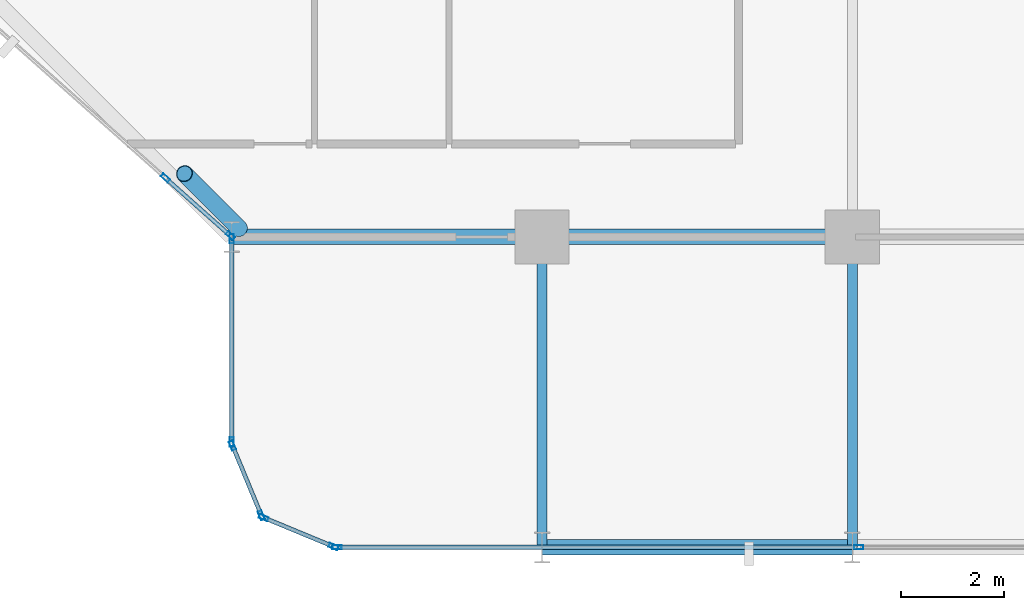
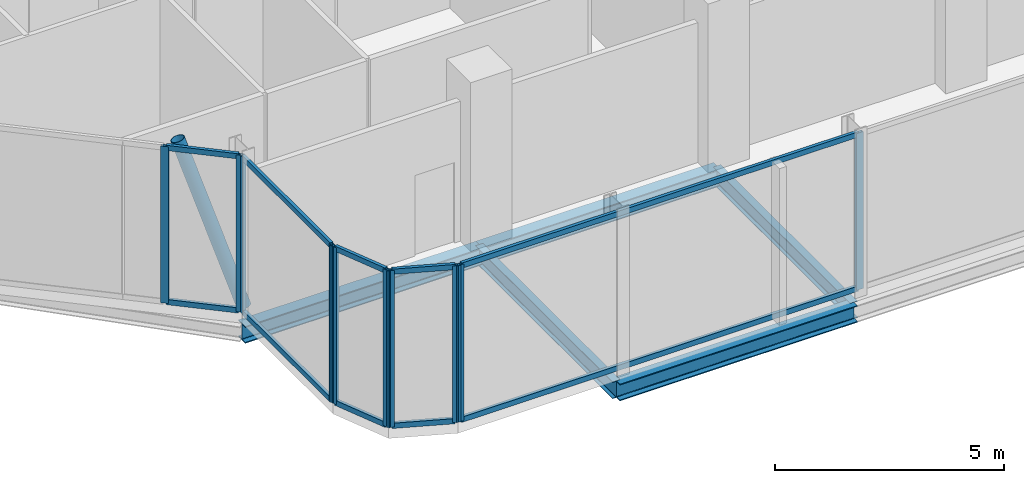
# One storey, part 4 of 31: 21 members, 5 beams, 5 elements without a shape of their own.
"""IFC4 building model written with IfcOpenShell, lengths in metres."""

from ifc_helpers import new_model, si_unit, direction, frame, origin, origin_2d, place, context, subcontext, project, spatial, hollow_rectangle, hollow_circle, i_section, extrude, material, layer, layer_set, material_profile, profile_set, type_object, element, aggregate, save


model = new_model("IFC4")

# Units and contexts
model_context = context("Model", 3, precision=1e-05, world=origin(), true_north=direction((0.0, 1.0)))
body_context = subcontext(model_context, "Body", "Model", "MODEL_VIEW")
ifc_project = project(units=[si_unit("LENGTHUNIT", "METRE"), si_unit("AREAUNIT", "SQUARE_METRE"), si_unit("VOLUMEUNIT", "CUBIC_METRE"), si_unit("PLANEANGLEUNIT", "RADIAN"), si_unit("MASSUNIT", "GRAM", prefix="KILO")], contexts=[model_context])

# Site, building, storey
site_placement = place(None, origin())
site = spatial("IfcSite", under=ifc_project, at=site_placement, CompositionType="ELEMENT")
building_placement = place(site_placement, origin())
building = spatial("IfcBuilding", under=site, at=building_placement, Name="Keshet Zoharim Tower", CompositionType="ELEMENT")
storey_placement = place(building_placement, frame((0.0, 0.0, 125.300048828125)))
storey = spatial("IfcBuildingStorey", under=building, at=storey_placement, Name="L30", CompositionType="ELEMENT", Elevation=125.300048828125)

# Beams
ifc_material_1 = material(Name="Steel S355", Category="steel")
ifc_material_profile_1 = material_profile(ifc_material_1, i_section(OverallWidth=0.18994140625, OverallDepth=0.449951171875, WebThickness=0.009521484375, FlangeThickness=0.0146484375, FilletRadius=0.02099609375, at=origin_2d()), Name="IPE450")
ifc_profile_set_1 = profile_set([ifc_material_profile_1], Name="Steel S355")
beam_type_1 = type_object("IfcBeamType", Name="BM-PRI-IP450", PredefinedType="BEAM", material=ifc_profile_set_1)
for number, where, z_axis, x_axis, name in (
    (1, (27.0, 0.699951171875, -0.545166015625), (0.0, 1.0, 0.0), (-1.0, 0.0, 0.0), "L30 Primary Girder Y-004"),
    (2, (33.0, 0.699951171875, -0.545166015625), (0.0, 1.0, 0.0), (-1.0, 0.0, 0.0), "L30 Primary Girder Y-005"),
):
    element("IfcBeam", number, at=place(storey_placement, frame(where, z_axis=z_axis, x_axis=x_axis)), inside=storey, type_object=beam_type_1, Name=name, PredefinedType="BEAM", context=body_context, shape_type="SweptSolid", body=[
        extrude(i_section(OverallWidth=0.18994140625, OverallDepth=0.449951171875, WebThickness=0.009521484375, FlangeThickness=0.0146484375, FilletRadius=0.02099609375, at=origin_2d()), origin(), (0.0, 0.0, 1.0), 6.0),
    ])
ifc_material_profile_2 = material_profile(ifc_material_1, i_section(OverallWidth=0.300048828125, OverallDepth=0.449951171875, WebThickness=0.013916015625, FlangeThickness=0.02587890625, FilletRadius=0.027099609375, at=origin_2d()), Name="HEB450")
ifc_profile_set_2 = profile_set([ifc_material_profile_2], Name="Steel S355")
beam_type_2 = type_object("IfcBeamType", Name="BM-WEB-HB450", PredefinedType="BEAM", material=ifc_profile_set_2)
for number, where, z_axis, x_axis, name in (
    (3, (27.0, 0.699951171875, -0.545166015625), (1.0, 0.0, 0.0), (0.0, 1.0, 0.0), "L30 Primary Girder X-001"),
    (4, (21.0, 6.699951171875, -0.545166015625), (1.0, 0.0, 0.0), (0.0, 1.0, 0.0), "L30 Primary Girder X-005"),
    (5, (27.0, 6.699951171875, -0.545166015625), (1.0, 0.0, 0.0), (0.0, 1.0, 0.0), "L30 Primary Girder X-006"),
):
    element("IfcBeam", number, at=place(storey_placement, frame(where, z_axis=z_axis, x_axis=x_axis)), inside=storey, type_object=beam_type_2, Name=name, PredefinedType="BEAM", context=body_context, shape_type="SweptSolid", body=[
        extrude(i_section(OverallWidth=0.300048828125, OverallDepth=0.449951171875, WebThickness=0.013916015625, FlangeThickness=0.02587890625, FilletRadius=0.027099609375, at=origin_2d()), origin(), (0.0, 0.0, 1.0), 6.0),
    ])

# Curtain wall, members
ifc_material_2 = material(Name="Aluminium 6063-T6", Category="aluminium")
ifc_layer = layer(ifc_material_2, 0.14990234375)
ifc_layer_set = layer_set([ifc_layer], Name="Aluminium 6063-T6")
curtain_wall_type = type_object("IfcCurtainWallType", Name="CW-SYS-04", PredefinedType="NOTDEFINED", material=ifc_layer_set)
curtain_wall_1_placement = place(storey_placement, origin())
curtain_wall_1 = element("IfcCurtainWall", 6, at=curtain_wall_1_placement, inside=storey, type_object=curtain_wall_type, Name="L30 Unitised Curtain Wall 09 Part 3", PredefinedType="NOTDEFINED")
ifc_material_profile_3 = material_profile(ifc_material_2, hollow_rectangle(XDim=0.080078125, YDim=0.179931640625, WallThickness=0.00439453125, at=origin_2d()), Name="MUL-80x180")
ifc_profile_set_3 = profile_set([ifc_material_profile_3], Name="Aluminium 6063-T6")
member_type_1 = type_object("IfcMemberType", Name="CWM-M18", PredefinedType="MULLION", material=ifc_profile_set_3)
member_1_placement = place(storey_placement, frame((33.123779296875, 0.699951171875, 0.0), z_axis=(0.0, 0.0, 1.0), x_axis=(0.0, -1.0, 0.0)))
member_1 = element("IfcMember", 7, at=member_1_placement, type_object=member_type_1, Name="CW-04 mullion 2", PredefinedType="MULLION", context=body_context, shape_type="SweptSolid", body=[
    extrude(hollow_rectangle(XDim=0.080078125, YDim=0.179931640625, WallThickness=0.00439453125, at=origin_2d()), origin(), (0.0, 0.0, 1.0), 4.18505859375),
])
member_2_placement = place(storey_placement, frame((23.034912109375, 0.699951171875, 0.0), z_axis=(0.0, 0.0, 1.0), x_axis=(0.0, -1.0, 0.0)))
member_2 = element("IfcMember", 8, at=member_2_placement, type_object=member_type_1, Name="CW-04 mullion 3", PredefinedType="MULLION", context=body_context, shape_type="SweptSolid", body=[
    extrude(hollow_rectangle(XDim=0.080078125, YDim=0.179931640625, WallThickness=0.00439453125, at=origin_2d()), origin(), (0.0, 0.0, 1.0), 4.18505859375),
])

curtain_wall_2_placement = place(storey_placement, origin())
curtain_wall_2 = element("IfcCurtainWall", 9, at=curtain_wall_2_placement, inside=storey, type_object=curtain_wall_type, Name="L30 Unitised Curtain Wall 10", PredefinedType="NOTDEFINED")
member_3_placement = place(storey_placement, frame((22.9677734375, 0.71337890625, 0.0), z_axis=(0.0, 0.0, 1.0), x_axis=(-0.382851849847, -0.92380975372, 0.0)))
member_3 = element("IfcMember", 10, at=member_3_placement, type_object=member_type_1, Name="CW-04 mullion 1", PredefinedType="MULLION", context=body_context, shape_type="SweptSolid", body=[
    extrude(hollow_rectangle(XDim=0.080078125, YDim=0.179931640625, WallThickness=0.00439453125, at=origin_2d()), origin(), (0.0, 0.0, 1.0), 4.18505859375),
])
member_4_placement = place(storey_placement, frame((21.618408203125, 1.272705078125, 0.0), z_axis=(0.0, 0.0, 1.0), x_axis=(-0.382851849847, -0.92380975372, 0.0)))
member_4 = element("IfcMember", 11, at=member_4_placement, type_object=member_type_1, Name="CW-04 mullion 2", PredefinedType="MULLION", context=body_context, shape_type="SweptSolid", body=[
    extrude(hollow_rectangle(XDim=0.080078125, YDim=0.179931640625, WallThickness=0.00439453125, at=origin_2d()), origin(), (0.0, 0.0, 1.0), 4.18505859375),
])

curtain_wall_3_placement = place(storey_placement, origin())
curtain_wall_3 = element("IfcCurtainWall", 12, at=curtain_wall_3_placement, inside=storey, type_object=curtain_wall_type, Name="L30 Unitised Curtain Wall 11", PredefinedType="NOTDEFINED")
member_5_placement = place(storey_placement, frame((21.572509765625, 1.318359375, 0.0), z_axis=(0.0, 0.0, 1.0), x_axis=(-0.92380975372, -0.382851849847, 0.0)))
member_5 = element("IfcMember", 13, at=member_5_placement, type_object=member_type_1, Name="CW-04 mullion 1", PredefinedType="MULLION", context=body_context, shape_type="SweptSolid", body=[
    extrude(hollow_rectangle(XDim=0.080078125, YDim=0.179931640625, WallThickness=0.00439453125, at=origin_2d()), origin(), (0.0, 0.0, 1.0), 4.18505859375),
])
member_6_placement = place(storey_placement, frame((21.013427734375, 2.667724609375, 0.0), z_axis=(0.0, 0.0, 1.0), x_axis=(-0.92380975372, -0.382851849847, 0.0)))
member_6 = element("IfcMember", 14, at=member_6_placement, type_object=member_type_1, Name="CW-04 mullion 2", PredefinedType="MULLION", context=body_context, shape_type="SweptSolid", body=[
    extrude(hollow_rectangle(XDim=0.080078125, YDim=0.179931640625, WallThickness=0.00439453125, at=origin_2d()), origin(), (0.0, 0.0, 1.0), 4.18505859375),
])

curtain_wall_4_placement = place(storey_placement, origin())
curtain_wall_4 = element("IfcCurtainWall", 15, at=curtain_wall_4_placement, inside=storey, type_object=curtain_wall_type, Name="L30 Unitised Curtain Wall 12", PredefinedType="NOTDEFINED")
member_7_placement = place(storey_placement, frame((21.0, 2.735107421875, 0.0), z_axis=(0.0, 0.0, 1.0), x_axis=(-1.0, 0.0, 0.0)))
member_7 = element("IfcMember", 16, at=member_7_placement, type_object=member_type_1, Name="CW-04 mullion 1", PredefinedType="MULLION", context=body_context, shape_type="SweptSolid", body=[
    extrude(hollow_rectangle(XDim=0.080078125, YDim=0.179931640625, WallThickness=0.00439453125, at=origin_2d()), origin(), (0.0, 0.0, 1.0), 4.18505859375),
])
member_8_placement = place(storey_placement, frame((21.0, 6.6650390625, 0.0), z_axis=(0.0, 0.0, 1.0), x_axis=(-1.0, 0.0, 0.0)))
member_8 = element("IfcMember", 17, at=member_8_placement, type_object=member_type_1, Name="CW-04 mullion 2", PredefinedType="MULLION", context=body_context, shape_type="SweptSolid", body=[
    extrude(hollow_rectangle(XDim=0.080078125, YDim=0.179931640625, WallThickness=0.00439453125, at=origin_2d()), origin(), (0.0, 0.0, 1.0), 4.18505859375),
])

curtain_wall_5_placement = place(storey_placement, origin())
curtain_wall_5 = element("IfcCurtainWall", 18, at=curtain_wall_5_placement, inside=storey, type_object=curtain_wall_type, Name="L30 Unitised Curtain Wall 13", PredefinedType="NOTDEFINED")
member_9_placement = place(storey_placement, frame((20.973876953125, 6.72314453125, 0.0), z_axis=(0.0, 0.0, 1.0), x_axis=(-0.664378024207, -0.747396709219, 0.0)))
member_9 = element("IfcMember", 19, at=member_9_placement, type_object=member_type_1, Name="CW-04 mullion 1", PredefinedType="MULLION", context=body_context, shape_type="SweptSolid", body=[
    extrude(hollow_rectangle(XDim=0.080078125, YDim=0.179931640625, WallThickness=0.00439453125, at=origin_2d()), origin(), (0.0, 0.0, 1.0), 4.18505859375),
])
member_10_placement = place(storey_placement, frame((19.718017578125, 7.839599609375, 0.0), z_axis=(0.0, 0.0, 1.0), x_axis=(-0.664378024207, -0.747396709219, 0.0)))
member_10 = element("IfcMember", 20, at=member_10_placement, type_object=member_type_1, Name="CW-04 mullion 2", PredefinedType="MULLION", context=body_context, shape_type="SweptSolid", body=[
    extrude(hollow_rectangle(XDim=0.080078125, YDim=0.179931640625, WallThickness=0.00439453125, at=origin_2d()), origin(), (0.0, 0.0, 1.0), 4.18505859375),
])

# Member
ifc_material_profile_4 = material_profile(ifc_material_2, hollow_rectangle(XDim=0.080078125, YDim=0.139892578125, WallThickness=0.00390625, at=origin_2d()), Name="TRN-80x140")
ifc_profile_set_4 = profile_set([ifc_material_profile_4], Name="Aluminium 6063-T6")
member_type_2 = type_object("IfcMemberType", Name="CWT-T14", PredefinedType="USERDEFINED", material=ifc_profile_set_4)
member_11_placement = place(storey_placement, frame((33.0888671875, 0.699951171875, 0.034912109375), z_axis=(-1.0, 0.0, 0.0), x_axis=(0.0, -1.0, 0.0)))
member_11 = element("IfcMember", 21, at=member_11_placement, type_object=member_type_2, Name="CW-04 transom 2.1", ObjectType="TRANSOM", PredefinedType="USERDEFINED", context=body_context, shape_type="SweptSolid", body=[
    extrude(hollow_rectangle(XDim=0.080078125, YDim=0.139892578125, WallThickness=0.00390625, at=origin_2d()), origin(), (0.0, 0.0, 1.0), 10.018798828125),
])

member_12_placement = place(storey_placement, frame((33.0888671875, 0.699951171875, 4.14990234375), z_axis=(-1.0, 0.0, 0.0), x_axis=(0.0, -1.0, 0.0)))
member_12 = element("IfcMember", 22, at=member_12_placement, type_object=member_type_2, Name="CW-04 transom 2.2", ObjectType="TRANSOM", PredefinedType="USERDEFINED", context=body_context, shape_type="SweptSolid", body=[
    extrude(hollow_rectangle(XDim=0.080078125, YDim=0.139892578125, WallThickness=0.00390625, at=origin_2d()), origin(), (0.0, 0.0, 1.0), 10.018798828125),
])

aggregate(curtain_wall_1, [member_1, member_2, member_11, member_12])

member_13_placement = place(storey_placement, frame((22.935302734375, 0.726806640625, 0.034912109375), z_axis=(-0.92379209995, 0.382894445076, 0.0), x_axis=(-0.382894445076, -0.92379209995, 0.0)))
member_13 = element("IfcMember", 23, at=member_13_placement, type_object=member_type_2, Name="CW-04 transom 1.1", ObjectType="TRANSOM", PredefinedType="USERDEFINED", context=body_context, shape_type="SweptSolid", body=[
    extrude(hollow_rectangle(XDim=0.080078125, YDim=0.139892578125, WallThickness=0.00390625, at=origin_2d()), origin(), (0.0, 0.0, 1.0), 1.390625),
])

member_14_placement = place(storey_placement, frame((22.935302734375, 0.726806640625, 4.14990234375), z_axis=(-0.92379209995, 0.382894445076, 0.0), x_axis=(-0.382894445076, -0.92379209995, 0.0)))
member_14 = element("IfcMember", 24, at=member_14_placement, type_object=member_type_2, Name="CW-04 transom 1.2", ObjectType="TRANSOM", PredefinedType="USERDEFINED", context=body_context, shape_type="SweptSolid", body=[
    extrude(hollow_rectangle(XDim=0.080078125, YDim=0.139892578125, WallThickness=0.00390625, at=origin_2d()), origin(), (0.0, 0.0, 1.0), 1.390625),
])

aggregate(curtain_wall_2, [member_3, member_4, member_13, member_14])

member_15_placement = place(storey_placement, frame((21.55908203125, 1.3505859375, 0.034912109375), z_axis=(-0.382744609247, 0.923854189844, 0.0), x_axis=(-0.923854189844, -0.382744609247, 0.0)))
member_15 = element("IfcMember", 25, at=member_15_placement, type_object=member_type_2, Name="CW-04 transom 1.1", ObjectType="TRANSOM", PredefinedType="USERDEFINED", context=body_context, shape_type="SweptSolid", body=[
    extrude(hollow_rectangle(XDim=0.080078125, YDim=0.139892578125, WallThickness=0.00390625, at=origin_2d()), origin(), (0.0, 0.0, 1.0), 1.390625),
])

member_16_placement = place(storey_placement, frame((21.55908203125, 1.3505859375, 4.14990234375), z_axis=(-0.382744609247, 0.923854189844, 0.0), x_axis=(-0.923854189844, -0.382744609247, 0.0)))
member_16 = element("IfcMember", 26, at=member_16_placement, type_object=member_type_2, Name="CW-04 transom 1.2", ObjectType="TRANSOM", PredefinedType="USERDEFINED", context=body_context, shape_type="SweptSolid", body=[
    extrude(hollow_rectangle(XDim=0.080078125, YDim=0.139892578125, WallThickness=0.00390625, at=origin_2d()), origin(), (0.0, 0.0, 1.0), 1.390625),
])

aggregate(curtain_wall_3, [member_5, member_6, member_15, member_16])

member_17_placement = place(storey_placement, frame((21.0, 2.77001953125, 0.034912109375), z_axis=(0.0, 1.0, 0.0), x_axis=(-1.0, 0.0, 0.0)))
member_17 = element("IfcMember", 27, at=member_17_placement, type_object=member_type_2, Name="CW-04 transom 1.1", ObjectType="TRANSOM", PredefinedType="USERDEFINED", context=body_context, shape_type="SweptSolid", body=[
    extrude(hollow_rectangle(XDim=0.080078125, YDim=0.139892578125, WallThickness=0.00390625, at=origin_2d()), origin(), (0.0, 0.0, 1.0), 3.85986328125),
])

member_18_placement = place(storey_placement, frame((21.0, 2.77001953125, 4.14990234375), z_axis=(0.0, 1.0, 0.0), x_axis=(-1.0, 0.0, 0.0)))
member_18 = element("IfcMember", 28, at=member_18_placement, type_object=member_type_2, Name="CW-04 transom 1.2", ObjectType="TRANSOM", PredefinedType="USERDEFINED", context=body_context, shape_type="SweptSolid", body=[
    extrude(hollow_rectangle(XDim=0.080078125, YDim=0.139892578125, WallThickness=0.00390625, at=origin_2d()), origin(), (0.0, 0.0, 1.0), 3.85986328125),
])

aggregate(curtain_wall_4, [member_7, member_8, member_17, member_18])

member_19_placement = place(storey_placement, frame((20.94775390625, 6.74658203125, 0.034912109375), z_axis=(-0.747426047574, 0.664345018351, 0.0), x_axis=(-0.664345018351, -0.747426047574, 0.0)))
member_19 = element("IfcMember", 29, at=member_19_placement, type_object=member_type_2, Name="CW-04 transom 1.1", ObjectType="TRANSOM", PredefinedType="USERDEFINED", context=body_context, shape_type="SweptSolid", body=[
    extrude(hollow_rectangle(XDim=0.080078125, YDim=0.139892578125, WallThickness=0.00390625, at=origin_2d()), origin(), (0.0, 0.0, 1.0), 1.6103515625),
])

member_20_placement = place(storey_placement, frame((20.94775390625, 6.74658203125, 4.14990234375), z_axis=(-0.747426047574, 0.664345018351, 0.0), x_axis=(-0.664345018351, -0.747426047574, 0.0)))
member_20 = element("IfcMember", 30, at=member_20_placement, type_object=member_type_2, Name="CW-04 transom 1.2", ObjectType="TRANSOM", PredefinedType="USERDEFINED", context=body_context, shape_type="SweptSolid", body=[
    extrude(hollow_rectangle(XDim=0.080078125, YDim=0.139892578125, WallThickness=0.00390625, at=origin_2d()), origin(), (0.0, 0.0, 1.0), 1.6103515625),
])

aggregate(curtain_wall_5, [member_9, member_10, member_19, member_20])

ifc_material_profile_5 = material_profile(ifc_material_1, hollow_circle(Radius=0.161865234375, WallThickness=0.012451171875, at=origin_2d()), Name="CHS323x12.5")
ifc_profile_set_5 = profile_set([ifc_material_profile_5], Name="Steel S355")
member_type_3 = type_object("IfcMemberType", Name="MB-BR-C323", PredefinedType="BRACE", material=ifc_profile_set_5)
member_21_placement = place(storey_placement, frame((21.14599609375, 6.864013671875, 0.0), z_axis=(-0.238653061419, 0.238653061419, 0.941323234894), x_axis=(-0.707106781187, -0.707106781187, 0.0)))
element("IfcMember", 31, at=member_21_placement, inside=storey, type_object=member_type_3, Name="L30 Perimeter Tube Brace 01", PredefinedType="BRACE", context=body_context, shape_type="SweptSolid", body=[
    extrude(hollow_circle(Radius=0.161865234375, WallThickness=0.012451171875, at=origin_2d()), origin(), (0.0, 0.0, 1.0), 4.446044921875),
])

save(model, "model.ifc")
